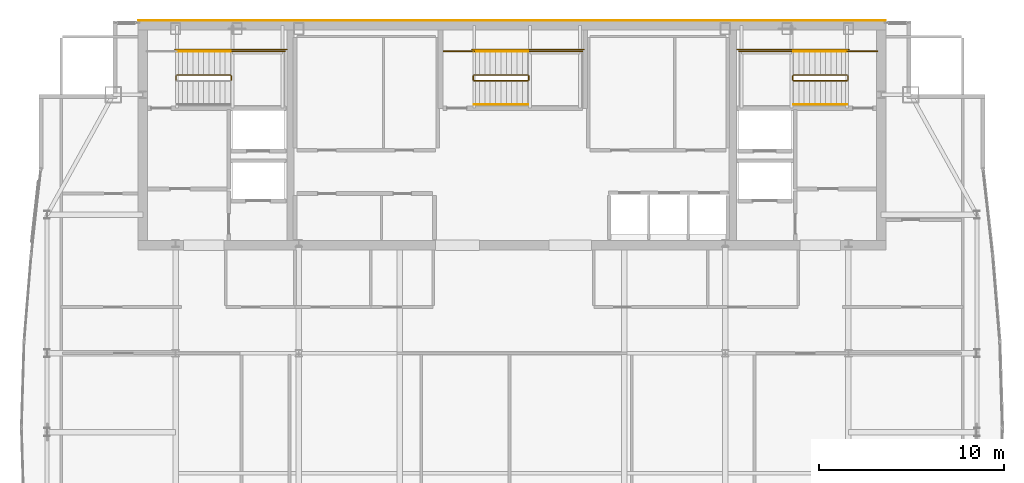
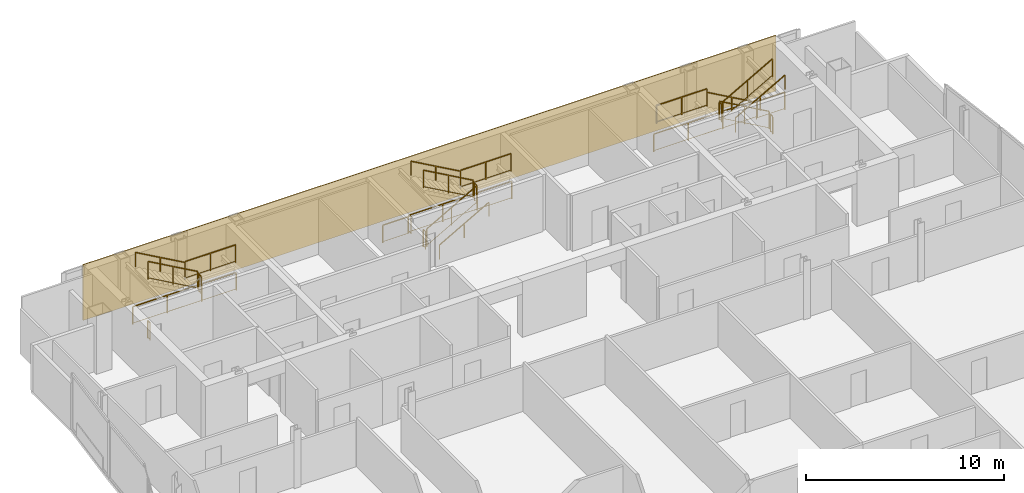
# One storey, part 25 of 25: 24 railings, 1 covering.
"""IFC4 building model written with IfcOpenShell, lengths in metres."""

from ifc_helpers import new_model, si_unit, direction, frame, origin, origin_2d, place, context, subcontext, project, spatial, polyline, rectangle, outline, extrude, material, layer, layer_set, type_object, element, save


model = new_model("IFC4")

# Units and contexts
model_context = context("Model", 3, precision=1e-05, world=origin(), true_north=direction((0.0, 1.0)))
body_context = subcontext(model_context, "Body", "Model", "MODEL_VIEW")
ifc_project = project(units=[si_unit("LENGTHUNIT", "METRE"), si_unit("AREAUNIT", "SQUARE_METRE"), si_unit("VOLUMEUNIT", "CUBIC_METRE"), si_unit("PLANEANGLEUNIT", "RADIAN"), si_unit("MASSUNIT", "GRAM", prefix="KILO")], contexts=[model_context])

# Site, building, storey
site_placement = place(None, origin())
site = spatial("IfcSite", under=ifc_project, at=site_placement, CompositionType="ELEMENT")
building_placement = place(site_placement, origin())
building = spatial("IfcBuilding", under=site, at=building_placement, Name="Khoronbel Lancet Exchange", CompositionType="ELEMENT")
storey_placement = place(building_placement, frame((0.0, 0.0, 298.60009765625)))
storey = spatial("IfcBuildingStorey", under=building, at=storey_placement, Name="L77", CompositionType="ELEMENT", Elevation=298.60009765625)

# Covering
ifc_material_1 = material(Name="Honed Egyptian Limestone & Bronze Rainscreen", Category="masonry")
ifc_layer = layer(ifc_material_1, 0.050048828125, Name="Honed Egyptian Limestone & Bronze Rainscreen")
ifc_layer_set = layer_set([ifc_layer], Name="Honed Egyptian Limestone & Bronze Rainscreen")
covering_type = type_object("IfcCoveringType", Name="COV-CLAD1", PredefinedType="CLADDING", material=ifc_layer_set)
covering_placement = place(storey_placement, origin())
element("IfcCovering", 1, at=covering_placement, inside=storey, type_object=covering_type, Name="Level L77 north rear-core stone and bronze rainscreen cladding", PredefinedType="CLADDING", context=body_context, shape_type="SweptSolid", body=[
    extrude(outline(polyline([(16.199951171875, 53.699951171875), (56.699951171875, 53.699951171875), (56.699951171875, 53.75), (16.199951171875, 53.75), (16.199951171875, 53.699951171875)])), origin(), (0.0, 0.0, 1.0), 3.43994140625),
])

# Railings
ifc_material_2 = material(Name="Painted Steel Balustrade", Category="steel")
railing_type_1 = type_object("IfcRailingType", Name="RL-STG110", PredefinedType="GUARDRAIL", material=ifc_material_2)
railing_1_placement = place(storey_placement, frame((21.25, 50.5, 1.7998046875)))
element("IfcRailing", 2, at=railing_1_placement, inside=storey, type_object=railing_type_1, Name="L77 ST1 stair guard 2", PredefinedType="GUARDRAIL", context=body_context, shape_type="SweptSolid", body=[
    extrude(rectangle(XDim=0.048095703125, YDim=0.048095703125, at=origin_2d()), frame((0.0, 0.0, 1.09619140625), z_axis=(0.0, 1.0, 0.0), x_axis=(-1.0, 0.0, 0.0)), (0.0, 0.0, 1.0), 0.219970703125),
    extrude(rectangle(XDim=0.02392578125, YDim=0.02392578125, at=origin_2d()), frame((0.0, 0.0, 0.080078125), z_axis=(0.0, 1.0, 0.0), x_axis=(-1.0, 0.0, 0.0)), (0.0, 0.0, 1.0), 0.219970703125),
    extrude(rectangle(XDim=0.0419921875, YDim=0.0419921875, at=origin_2d()), origin(), (0.0, 0.0, 1.0), 1.072021484375),
    extrude(rectangle(XDim=0.0419921875, YDim=0.0419921875, at=origin_2d()), frame((0.0, 0.219970703125, 0.0)), (0.0, 0.0, 1.0), 1.072021484375),
])
railing_2_placement = place(storey_placement, frame((21.199951171875, 52.050048828125, 1.7998046875)))
element("IfcRailing", 3, at=railing_2_placement, inside=storey, type_object=railing_type_1, Name="L77 ST1 stair guard 3", PredefinedType="GUARDRAIL", context=body_context, shape_type="SweptSolid", body=[
    extrude(rectangle(XDim=0.048095703125, YDim=0.048095703125, at=origin_2d()), frame((0.0, 0.0, 1.09619140625), z_axis=(1.0, 0.0, 0.0), x_axis=(0.0, 1.0, 0.0)), (0.0, 0.0, 1.0), 2.949951171875),
    extrude(rectangle(XDim=0.02392578125, YDim=0.02392578125, at=origin_2d()), frame((0.0, 0.0, 0.080078125), z_axis=(1.0, 0.0, 0.0), x_axis=(0.0, 1.0, 0.0)), (0.0, 0.0, 1.0), 2.949951171875),
    extrude(rectangle(XDim=0.0419921875, YDim=0.0419921875, at=origin_2d()), origin(), (0.0, 0.0, 1.0), 1.072021484375),
    extrude(rectangle(XDim=0.0419921875, YDim=0.0419921875, at=origin_2d()), frame((1.47509765625, 0.0, 0.0)), (0.0, 0.0, 1.0), 1.072021484375),
    extrude(rectangle(XDim=0.0419921875, YDim=0.0419921875, at=origin_2d()), frame((2.949951171875, 0.0, 0.0)), (0.0, 0.0, 1.0), 1.072021484375),
])
railing_3_placement = place(storey_placement, frame((21.199951171875, 50.77001953125, 1.963623046875)))
element("IfcRailing", 4, at=railing_3_placement, inside=storey, type_object=railing_type_1, Name="L77 ST1 stair guard 4", PredefinedType="GUARDRAIL", context=body_context, shape_type="SweptSolid", body=[
    extrude(rectangle(XDim=0.048095703125, YDim=0.048095703125, at=origin_2d()), frame((0.0, 0.0, 1.09619140625), z_axis=(-0.870928581787, 0.0, 0.491409610636), x_axis=(0.0, -1.0, 0.0)), (0.0, 0.0, 1.0), 3.32958984375),
    extrude(rectangle(XDim=0.02392578125, YDim=0.02392578125, at=origin_2d()), frame((0.0, 0.0, 0.080078125), z_axis=(-0.870928581787, 0.0, 0.491409610636), x_axis=(0.0, -1.0, 0.0)), (0.0, 0.0, 1.0), 3.32958984375),
    extrude(rectangle(XDim=0.0419921875, YDim=0.0419921875, at=origin_2d()), origin(), (0.0, 0.0, 1.0), 1.072021484375),
    extrude(rectangle(XDim=0.0419921875, YDim=0.0419921875, at=origin_2d()), frame((-1.449951171875, 0.0, 0.818115234375)), (0.0, 0.0, 1.0), 1.072021484375),
    extrude(rectangle(XDim=0.0419921875, YDim=0.0419921875, at=origin_2d()), frame((-2.89990234375, 0.0, 1.63623046875)), (0.0, 0.0, 1.0), 1.072021484375),
])
railing_4_placement = place(storey_placement, frame((18.25, 50.5, 0.0)))
element("IfcRailing", 5, at=railing_4_placement, inside=storey, type_object=railing_type_1, Name="L77 ST1 stair guard 5", PredefinedType="GUARDRAIL", context=body_context, shape_type="SweptSolid", body=[
    extrude(rectangle(XDim=0.048095703125, YDim=0.048095703125, at=origin_2d()), frame((0.0, 0.0, 1.09619140625), z_axis=(0.0, 1.0, 0.0), x_axis=(-1.0, 0.0, 0.0)), (0.0, 0.0, 1.0), 0.219970703125),
    extrude(rectangle(XDim=0.02392578125, YDim=0.02392578125, at=origin_2d()), frame((0.0, 0.0, 0.080078125), z_axis=(0.0, 1.0, 0.0), x_axis=(-1.0, 0.0, 0.0)), (0.0, 0.0, 1.0), 0.219970703125),
    extrude(rectangle(XDim=0.0419921875, YDim=0.0419921875, at=origin_2d()), origin(), (0.0, 0.0, 1.0), 1.072021484375),
    extrude(rectangle(XDim=0.0419921875, YDim=0.0419921875, at=origin_2d()), frame((0.0, 0.219970703125, 0.0)), (0.0, 0.0, 1.0), 1.072021484375),
])
railing_5_placement = place(storey_placement, frame((18.199951171875, 52.14990234375, 0.0)))
element("IfcRailing", 6, at=railing_5_placement, inside=storey, type_object=railing_type_1, Name="L77 ST1 stair guard 7", PredefinedType="GUARDRAIL", context=body_context, shape_type="SweptSolid", body=[
    extrude(rectangle(XDim=0.048095703125, YDim=0.048095703125, at=origin_2d()), frame((0.0, 0.0, 1.09619140625), z_axis=(1.0, 0.0, 0.0), x_axis=(0.0, 1.0, 0.0)), (0.0, 0.0, 1.0), 6.050048828125),
    extrude(rectangle(XDim=0.02392578125, YDim=0.02392578125, at=origin_2d()), frame((0.0, 0.0, 0.080078125), z_axis=(1.0, 0.0, 0.0), x_axis=(0.0, 1.0, 0.0)), (0.0, 0.0, 1.0), 6.050048828125),
    extrude(rectangle(XDim=0.0419921875, YDim=0.0419921875, at=origin_2d()), origin(), (0.0, 0.0, 1.0), 1.072021484375),
    extrude(rectangle(XDim=0.0419921875, YDim=0.0419921875, at=origin_2d()), frame((2.0166015625, 0.0, 0.0)), (0.0, 0.0, 1.0), 1.072021484375),
    extrude(rectangle(XDim=0.0419921875, YDim=0.0419921875, at=origin_2d()), frame((4.033447265625, 0.0, 0.0)), (0.0, 0.0, 1.0), 1.072021484375),
    extrude(rectangle(XDim=0.0419921875, YDim=0.0419921875, at=origin_2d()), frame((6.050048828125, 0.0, 0.0)), (0.0, 0.0, 1.0), 1.072021484375),
])
railing_6_placement = place(storey_placement, frame((54.60009765625, 50.77001953125, 0.16357421875)))
element("IfcRailing", 7, at=railing_6_placement, inside=storey, type_object=railing_type_1, Name="L77 ST2 stair guard 1", PredefinedType="GUARDRAIL", context=body_context, shape_type="SweptSolid", body=[
    extrude(rectangle(XDim=0.048095703125, YDim=0.048095703125, at=origin_2d()), frame((0.0, 0.0, 1.09619140625), z_axis=(-0.870946286338, 0.0, 0.49137823142), x_axis=(0.0, -1.0, 0.0)), (0.0, 0.0, 1.0), 3.329833984375),
    extrude(rectangle(XDim=0.02392578125, YDim=0.02392578125, at=origin_2d()), frame((0.0, 0.0, 0.080078125), z_axis=(-0.870946286338, 0.0, 0.49137823142), x_axis=(0.0, -1.0, 0.0)), (0.0, 0.0, 1.0), 3.329833984375),
    extrude(rectangle(XDim=0.0419921875, YDim=0.0419921875, at=origin_2d()), origin(), (0.0, 0.0, 1.0), 1.072021484375),
    extrude(rectangle(XDim=0.0419921875, YDim=0.0419921875, at=origin_2d()), frame((-1.4501953125, 0.0, 0.818115234375)), (0.0, 0.0, 1.0), 1.072021484375),
    extrude(rectangle(XDim=0.0419921875, YDim=0.0419921875, at=origin_2d()), frame((-2.900146484375, 0.0, 1.63623046875)), (0.0, 0.0, 1.0), 1.072021484375),
])
railing_7_placement = place(storey_placement, frame((51.64990234375, 50.719970703125, 1.7998046875)))
element("IfcRailing", 8, at=railing_7_placement, inside=storey, type_object=railing_type_1, Name="L77 ST2 stair guard 2", PredefinedType="GUARDRAIL", context=body_context, shape_type="SweptSolid", body=[
    extrude(rectangle(XDim=0.048095703125, YDim=0.048095703125, at=origin_2d()), frame((0.0, 0.0, 1.09619140625), z_axis=(0.0, -1.0, 0.0), x_axis=(1.0, 0.0, 0.0)), (0.0, 0.0, 1.0), 0.219970703125),
    extrude(rectangle(XDim=0.02392578125, YDim=0.02392578125, at=origin_2d()), frame((0.0, 0.0, 0.080078125), z_axis=(0.0, -1.0, 0.0), x_axis=(1.0, 0.0, 0.0)), (0.0, 0.0, 1.0), 0.219970703125),
    extrude(rectangle(XDim=0.0419921875, YDim=0.0419921875, at=origin_2d()), origin(), (0.0, 0.0, 1.0), 1.072021484375),
    extrude(rectangle(XDim=0.0419921875, YDim=0.0419921875, at=origin_2d()), frame((0.0, -0.219970703125, 0.0)), (0.0, 0.0, 1.0), 1.072021484375),
])
railing_8_placement = place(storey_placement, frame((51.699951171875, 52.050048828125, 1.7998046875)))
element("IfcRailing", 9, at=railing_8_placement, inside=storey, type_object=railing_type_1, Name="L77 ST2 stair guard 3", PredefinedType="GUARDRAIL", context=body_context, shape_type="SweptSolid", body=[
    extrude(rectangle(XDim=0.048095703125, YDim=0.048095703125, at=origin_2d()), frame((0.0, 0.0, 1.09619140625), z_axis=(-1.0, 0.0, 0.0), x_axis=(0.0, -1.0, 0.0)), (0.0, 0.0, 1.0), 2.949951171875),
    extrude(rectangle(XDim=0.02392578125, YDim=0.02392578125, at=origin_2d()), frame((0.0, 0.0, 0.080078125), z_axis=(-1.0, 0.0, 0.0), x_axis=(0.0, -1.0, 0.0)), (0.0, 0.0, 1.0), 2.949951171875),
    extrude(rectangle(XDim=0.0419921875, YDim=0.0419921875, at=origin_2d()), origin(), (0.0, 0.0, 1.0), 1.072021484375),
    extrude(rectangle(XDim=0.0419921875, YDim=0.0419921875, at=origin_2d()), frame((-1.47509765625, 0.0, 0.0)), (0.0, 0.0, 1.0), 1.072021484375),
    extrude(rectangle(XDim=0.0419921875, YDim=0.0419921875, at=origin_2d()), frame((-2.949951171875, 0.0, 0.0)), (0.0, 0.0, 1.0), 1.072021484375),
])
railing_9_placement = place(storey_placement, frame((51.699951171875, 50.449951171875, 1.963623046875)))
element("IfcRailing", 10, at=railing_9_placement, inside=storey, type_object=railing_type_1, Name="L77 ST2 stair guard 4", PredefinedType="GUARDRAIL", context=body_context, shape_type="SweptSolid", body=[
    extrude(rectangle(XDim=0.048095703125, YDim=0.048095703125, at=origin_2d()), frame((0.0, 0.0, 1.09619140625), z_axis=(0.870946286338, 0.0, 0.49137823142), x_axis=(0.0, 1.0, 0.0)), (0.0, 0.0, 1.0), 3.329833984375),
    extrude(rectangle(XDim=0.02392578125, YDim=0.02392578125, at=origin_2d()), frame((0.0, 0.0, 0.080078125), z_axis=(0.870946286338, 0.0, 0.49137823142), x_axis=(0.0, 1.0, 0.0)), (0.0, 0.0, 1.0), 3.329833984375),
    extrude(rectangle(XDim=0.0419921875, YDim=0.0419921875, at=origin_2d()), origin(), (0.0, 0.0, 1.0), 1.072021484375),
    extrude(rectangle(XDim=0.0419921875, YDim=0.0419921875, at=origin_2d()), frame((1.4501953125, 0.0, 0.818115234375)), (0.0, 0.0, 1.0), 1.072021484375),
    extrude(rectangle(XDim=0.0419921875, YDim=0.0419921875, at=origin_2d()), frame((2.900146484375, 0.0, 1.63623046875)), (0.0, 0.0, 1.0), 1.072021484375),
])
railing_10_placement = place(storey_placement, frame((54.64990234375, 50.719970703125, 0.0)))
element("IfcRailing", 11, at=railing_10_placement, inside=storey, type_object=railing_type_1, Name="L77 ST2 stair guard 5", PredefinedType="GUARDRAIL", context=body_context, shape_type="SweptSolid", body=[
    extrude(rectangle(XDim=0.048095703125, YDim=0.048095703125, at=origin_2d()), frame((0.0, 0.0, 1.09619140625), z_axis=(0.0, -1.0, 0.0), x_axis=(1.0, 0.0, 0.0)), (0.0, 0.0, 1.0), 0.219970703125),
    extrude(rectangle(XDim=0.02392578125, YDim=0.02392578125, at=origin_2d()), frame((0.0, 0.0, 0.080078125), z_axis=(0.0, -1.0, 0.0), x_axis=(1.0, 0.0, 0.0)), (0.0, 0.0, 1.0), 0.219970703125),
    extrude(rectangle(XDim=0.0419921875, YDim=0.0419921875, at=origin_2d()), origin(), (0.0, 0.0, 1.0), 1.072021484375),
    extrude(rectangle(XDim=0.0419921875, YDim=0.0419921875, at=origin_2d()), frame((0.0, -0.219970703125, 0.0)), (0.0, 0.0, 1.0), 1.072021484375),
])
railing_11_placement = place(storey_placement, frame((56.25, 52.050048828125, 0.0)))
element("IfcRailing", 12, at=railing_11_placement, inside=storey, type_object=railing_type_1, Name="L77 ST2 stair guard 6", PredefinedType="GUARDRAIL", context=body_context, shape_type="SweptSolid", body=[
    extrude(rectangle(XDim=0.048095703125, YDim=0.048095703125, at=origin_2d()), frame((0.0, 0.0, 1.09619140625), z_axis=(-1.0, 0.0, 0.0), x_axis=(0.0, -1.0, 0.0)), (0.0, 0.0, 1.0), 1.64990234375),
    extrude(rectangle(XDim=0.02392578125, YDim=0.02392578125, at=origin_2d()), frame((0.0, 0.0, 0.080078125), z_axis=(-1.0, 0.0, 0.0), x_axis=(0.0, -1.0, 0.0)), (0.0, 0.0, 1.0), 1.64990234375),
    extrude(rectangle(XDim=0.0419921875, YDim=0.0419921875, at=origin_2d()), origin(), (0.0, 0.0, 1.0), 1.072021484375),
    extrude(rectangle(XDim=0.0419921875, YDim=0.0419921875, at=origin_2d()), frame((-1.64990234375, 0.0, 0.0)), (0.0, 0.0, 1.0), 1.072021484375),
])
railing_12_placement = place(storey_placement, frame((54.699951171875, 52.14990234375, 0.0)))
element("IfcRailing", 13, at=railing_12_placement, inside=storey, type_object=railing_type_1, Name="L77 ST2 stair guard 7", PredefinedType="GUARDRAIL", context=body_context, shape_type="SweptSolid", body=[
    extrude(rectangle(XDim=0.048095703125, YDim=0.048095703125, at=origin_2d()), frame((0.0, 0.0, 1.09619140625), z_axis=(-1.0, 0.0, 0.0), x_axis=(0.0, -1.0, 0.0)), (0.0, 0.0, 1.0), 6.050048828125),
    extrude(rectangle(XDim=0.02392578125, YDim=0.02392578125, at=origin_2d()), frame((0.0, 0.0, 0.080078125), z_axis=(-1.0, 0.0, 0.0), x_axis=(0.0, -1.0, 0.0)), (0.0, 0.0, 1.0), 6.050048828125),
    extrude(rectangle(XDim=0.0419921875, YDim=0.0419921875, at=origin_2d()), origin(), (0.0, 0.0, 1.0), 1.072021484375),
    extrude(rectangle(XDim=0.0419921875, YDim=0.0419921875, at=origin_2d()), frame((-2.0166015625, 0.0, 0.0)), (0.0, 0.0, 1.0), 1.072021484375),
    extrude(rectangle(XDim=0.0419921875, YDim=0.0419921875, at=origin_2d()), frame((-4.033447265625, 0.0, 0.0)), (0.0, 0.0, 1.0), 1.072021484375),
    extrude(rectangle(XDim=0.0419921875, YDim=0.0419921875, at=origin_2d()), frame((-6.050048828125, 0.0, 0.0)), (0.0, 0.0, 1.0), 1.072021484375),
])
railing_13_placement = place(storey_placement, frame((34.39990234375, 50.449951171875, 0.16357421875)))
element("IfcRailing", 14, at=railing_13_placement, inside=storey, type_object=railing_type_1, Name="L77 ST3 stair guard 1", PredefinedType="GUARDRAIL", context=body_context, shape_type="SweptSolid", body=[
    extrude(rectangle(XDim=0.048095703125, YDim=0.048095703125, at=origin_2d()), frame((0.0, 0.0, 1.09619140625), z_axis=(0.870946286338, 0.0, 0.49137823142), x_axis=(0.0, 1.0, 0.0)), (0.0, 0.0, 1.0), 3.329833984375),
    extrude(rectangle(XDim=0.02392578125, YDim=0.02392578125, at=origin_2d()), frame((0.0, 0.0, 0.080078125), z_axis=(0.870946286338, 0.0, 0.49137823142), x_axis=(0.0, 1.0, 0.0)), (0.0, 0.0, 1.0), 3.329833984375),
    extrude(rectangle(XDim=0.0419921875, YDim=0.0419921875, at=origin_2d()), origin(), (0.0, 0.0, 1.0), 1.072021484375),
    extrude(rectangle(XDim=0.0419921875, YDim=0.0419921875, at=origin_2d()), frame((1.4501953125, 0.0, 0.818115234375)), (0.0, 0.0, 1.0), 1.072021484375),
    extrude(rectangle(XDim=0.0419921875, YDim=0.0419921875, at=origin_2d()), frame((2.900146484375, 0.0, 1.63623046875)), (0.0, 0.0, 1.0), 1.072021484375),
])
railing_14_placement = place(storey_placement, frame((37.35009765625, 50.5, 1.7998046875)))
element("IfcRailing", 15, at=railing_14_placement, inside=storey, type_object=railing_type_1, Name="L77 ST3 stair guard 2", PredefinedType="GUARDRAIL", context=body_context, shape_type="SweptSolid", body=[
    extrude(rectangle(XDim=0.048095703125, YDim=0.048095703125, at=origin_2d()), frame((0.0, 0.0, 1.09619140625), z_axis=(0.0, 1.0, 0.0), x_axis=(-1.0, 0.0, 0.0)), (0.0, 0.0, 1.0), 0.219970703125),
    extrude(rectangle(XDim=0.02392578125, YDim=0.02392578125, at=origin_2d()), frame((0.0, 0.0, 0.080078125), z_axis=(0.0, 1.0, 0.0), x_axis=(-1.0, 0.0, 0.0)), (0.0, 0.0, 1.0), 0.219970703125),
    extrude(rectangle(XDim=0.0419921875, YDim=0.0419921875, at=origin_2d()), origin(), (0.0, 0.0, 1.0), 1.072021484375),
    extrude(rectangle(XDim=0.0419921875, YDim=0.0419921875, at=origin_2d()), frame((0.0, 0.219970703125, 0.0)), (0.0, 0.0, 1.0), 1.072021484375),
])
railing_15_placement = place(storey_placement, frame((37.300048828125, 52.050048828125, 1.7998046875)))
element("IfcRailing", 16, at=railing_15_placement, inside=storey, type_object=railing_type_1, Name="L77 ST3 stair guard 3", PredefinedType="GUARDRAIL", context=body_context, shape_type="SweptSolid", body=[
    extrude(rectangle(XDim=0.048095703125, YDim=0.048095703125, at=origin_2d()), frame((0.0, 0.0, 1.09619140625), z_axis=(1.0, 0.0, 0.0), x_axis=(0.0, 1.0, 0.0)), (0.0, 0.0, 1.0), 2.949951171875),
    extrude(rectangle(XDim=0.02392578125, YDim=0.02392578125, at=origin_2d()), frame((0.0, 0.0, 0.080078125), z_axis=(1.0, 0.0, 0.0), x_axis=(0.0, 1.0, 0.0)), (0.0, 0.0, 1.0), 2.949951171875),
    extrude(rectangle(XDim=0.0419921875, YDim=0.0419921875, at=origin_2d()), origin(), (0.0, 0.0, 1.0), 1.072021484375),
    extrude(rectangle(XDim=0.0419921875, YDim=0.0419921875, at=origin_2d()), frame((1.47509765625, 0.0, 0.0)), (0.0, 0.0, 1.0), 1.072021484375),
    extrude(rectangle(XDim=0.0419921875, YDim=0.0419921875, at=origin_2d()), frame((2.949951171875, 0.0, 0.0)), (0.0, 0.0, 1.0), 1.072021484375),
])
railing_16_placement = place(storey_placement, frame((37.300048828125, 50.77001953125, 1.963623046875)))
element("IfcRailing", 17, at=railing_16_placement, inside=storey, type_object=railing_type_1, Name="L77 ST3 stair guard 4", PredefinedType="GUARDRAIL", context=body_context, shape_type="SweptSolid", body=[
    extrude(rectangle(XDim=0.048095703125, YDim=0.048095703125, at=origin_2d()), frame((0.0, 0.0, 1.09619140625), z_axis=(-0.870946286338, 0.0, 0.49137823142), x_axis=(0.0, -1.0, 0.0)), (0.0, 0.0, 1.0), 3.329833984375),
    extrude(rectangle(XDim=0.02392578125, YDim=0.02392578125, at=origin_2d()), frame((0.0, 0.0, 0.080078125), z_axis=(-0.870946286338, 0.0, 0.49137823142), x_axis=(0.0, -1.0, 0.0)), (0.0, 0.0, 1.0), 3.329833984375),
    extrude(rectangle(XDim=0.0419921875, YDim=0.0419921875, at=origin_2d()), origin(), (0.0, 0.0, 1.0), 1.072021484375),
    extrude(rectangle(XDim=0.0419921875, YDim=0.0419921875, at=origin_2d()), frame((-1.4501953125, 0.0, 0.818115234375)), (0.0, 0.0, 1.0), 1.072021484375),
    extrude(rectangle(XDim=0.0419921875, YDim=0.0419921875, at=origin_2d()), frame((-2.900146484375, 0.0, 1.63623046875)), (0.0, 0.0, 1.0), 1.072021484375),
])
railing_17_placement = place(storey_placement, frame((34.35009765625, 50.5, 0.0)))
element("IfcRailing", 18, at=railing_17_placement, inside=storey, type_object=railing_type_1, Name="L77 ST3 stair guard 5", PredefinedType="GUARDRAIL", context=body_context, shape_type="SweptSolid", body=[
    extrude(rectangle(XDim=0.048095703125, YDim=0.048095703125, at=origin_2d()), frame((0.0, 0.0, 1.09619140625), z_axis=(0.0, 1.0, 0.0), x_axis=(-1.0, 0.0, 0.0)), (0.0, 0.0, 1.0), 0.219970703125),
    extrude(rectangle(XDim=0.02392578125, YDim=0.02392578125, at=origin_2d()), frame((0.0, 0.0, 0.080078125), z_axis=(0.0, 1.0, 0.0), x_axis=(-1.0, 0.0, 0.0)), (0.0, 0.0, 1.0), 0.219970703125),
    extrude(rectangle(XDim=0.0419921875, YDim=0.0419921875, at=origin_2d()), origin(), (0.0, 0.0, 1.0), 1.072021484375),
    extrude(rectangle(XDim=0.0419921875, YDim=0.0419921875, at=origin_2d()), frame((0.0, 0.219970703125, 0.0)), (0.0, 0.0, 1.0), 1.072021484375),
])
railing_18_placement = place(storey_placement, frame((32.75, 52.050048828125, 0.0)))
element("IfcRailing", 19, at=railing_18_placement, inside=storey, type_object=railing_type_1, Name="L77 ST3 stair guard 6", PredefinedType="GUARDRAIL", context=body_context, shape_type="SweptSolid", body=[
    extrude(rectangle(XDim=0.048095703125, YDim=0.048095703125, at=origin_2d()), frame((0.0, 0.0, 1.09619140625), z_axis=(1.0, 0.0, 0.0), x_axis=(0.0, 1.0, 0.0)), (0.0, 0.0, 1.0), 1.64990234375),
    extrude(rectangle(XDim=0.02392578125, YDim=0.02392578125, at=origin_2d()), frame((0.0, 0.0, 0.080078125), z_axis=(1.0, 0.0, 0.0), x_axis=(0.0, 1.0, 0.0)), (0.0, 0.0, 1.0), 1.64990234375),
    extrude(rectangle(XDim=0.0419921875, YDim=0.0419921875, at=origin_2d()), origin(), (0.0, 0.0, 1.0), 1.072021484375),
    extrude(rectangle(XDim=0.0419921875, YDim=0.0419921875, at=origin_2d()), frame((1.64990234375, 0.0, 0.0)), (0.0, 0.0, 1.0), 1.072021484375),
])
railing_19_placement = place(storey_placement, frame((34.300048828125, 52.14990234375, 0.0)))
element("IfcRailing", 20, at=railing_19_placement, inside=storey, type_object=railing_type_1, Name="L77 ST3 stair guard 7", PredefinedType="GUARDRAIL", context=body_context, shape_type="SweptSolid", body=[
    extrude(rectangle(XDim=0.048095703125, YDim=0.048095703125, at=origin_2d()), frame((0.0, 0.0, 1.09619140625), z_axis=(1.0, 0.0, 0.0), x_axis=(0.0, 1.0, 0.0)), (0.0, 0.0, 1.0), 6.050048828125),
    extrude(rectangle(XDim=0.02392578125, YDim=0.02392578125, at=origin_2d()), frame((0.0, 0.0, 0.080078125), z_axis=(1.0, 0.0, 0.0), x_axis=(0.0, 1.0, 0.0)), (0.0, 0.0, 1.0), 6.050048828125),
    extrude(rectangle(XDim=0.0419921875, YDim=0.0419921875, at=origin_2d()), origin(), (0.0, 0.0, 1.0), 1.072021484375),
    extrude(rectangle(XDim=0.0419921875, YDim=0.0419921875, at=origin_2d()), frame((2.0166015625, 0.0, 0.0)), (0.0, 0.0, 1.0), 1.072021484375),
    extrude(rectangle(XDim=0.0419921875, YDim=0.0419921875, at=origin_2d()), frame((4.033447265625, 0.0, 0.0)), (0.0, 0.0, 1.0), 1.072021484375),
    extrude(rectangle(XDim=0.0419921875, YDim=0.0419921875, at=origin_2d()), frame((6.050048828125, 0.0, 0.0)), (0.0, 0.0, 1.0), 1.072021484375),
])
ifc_material_3 = material(Name="Brushed Stainless Steel 316", Category="steel")
railing_type_2 = type_object("IfcRailingType", Name="RL-STH92", PredefinedType="HANDRAIL", material=ifc_material_3)
railing_20_placement = place(storey_placement, frame((21.199951171875, 52.050048828125, 1.963623046875)))
element("IfcRailing", 21, at=railing_20_placement, inside=storey, type_object=railing_type_2, Name="L77 ST1 stair handrail 2", PredefinedType="HANDRAIL", context=body_context, shape_type="SweptSolid", body=[
    extrude(rectangle(XDim=0.048095703125, YDim=0.048095703125, at=origin_2d()), frame((0.0, 0.0, 0.8759765625), z_axis=(-0.870928581787, 0.0, 0.491409610636), x_axis=(0.0, -1.0, 0.0)), (0.0, 0.0, 1.0), 3.32958984375),
    extrude(rectangle(XDim=0.0419921875, YDim=0.0419921875, at=origin_2d()), origin(), (0.0, 0.0, 1.0), 0.851806640625),
    extrude(rectangle(XDim=0.0419921875, YDim=0.0419921875, at=origin_2d()), frame((-1.449951171875, 0.0, 0.818115234375)), (0.0, 0.0, 1.0), 0.851806640625),
    extrude(rectangle(XDim=0.0419921875, YDim=0.0419921875, at=origin_2d()), frame((-2.89990234375, 0.0, 1.63623046875)), (0.0, 0.0, 1.0), 0.851806640625),
])
railing_21_placement = place(storey_placement, frame((54.60009765625, 52.050048828125, 0.16357421875)))
element("IfcRailing", 22, at=railing_21_placement, inside=storey, type_object=railing_type_2, Name="L77 ST2 stair handrail 1", PredefinedType="HANDRAIL", context=body_context, shape_type="SweptSolid", body=[
    extrude(rectangle(XDim=0.048095703125, YDim=0.048095703125, at=origin_2d()), frame((0.0, 0.0, 0.8759765625), z_axis=(-0.870946286338, 0.0, 0.49137823142), x_axis=(0.0, -1.0, 0.0)), (0.0, 0.0, 1.0), 3.329833984375),
    extrude(rectangle(XDim=0.0419921875, YDim=0.0419921875, at=origin_2d()), origin(), (0.0, 0.0, 1.0), 0.851806640625),
    extrude(rectangle(XDim=0.0419921875, YDim=0.0419921875, at=origin_2d()), frame((-1.4501953125, 0.0, 0.818115234375)), (0.0, 0.0, 1.0), 0.851806640625),
    extrude(rectangle(XDim=0.0419921875, YDim=0.0419921875, at=origin_2d()), frame((-2.900146484375, 0.0, 1.63623046875)), (0.0, 0.0, 1.0), 0.851806640625),
])
for number, where, name in (
    (23, (51.699951171875, 49.169921875, 1.963623046875), "L77 ST2 stair handrail 2"),
    (24, (34.39990234375, 49.169921875, 0.16357421875), "L77 ST3 stair handrail 1"),
):
    element("IfcRailing", number, at=place(storey_placement, frame(where)), inside=storey, type_object=railing_type_2, Name=name, PredefinedType="HANDRAIL", context=body_context, shape_type="SweptSolid", body=[
        extrude(rectangle(XDim=0.048095703125, YDim=0.048095703125, at=origin_2d()), frame((0.0, 0.0, 0.8759765625), z_axis=(0.870946286338, 0.0, 0.49137823142), x_axis=(0.0, 1.0, 0.0)), (0.0, 0.0, 1.0), 3.329833984375),
        extrude(rectangle(XDim=0.0419921875, YDim=0.0419921875, at=origin_2d()), origin(), (0.0, 0.0, 1.0), 0.851806640625),
        extrude(rectangle(XDim=0.0419921875, YDim=0.0419921875, at=origin_2d()), frame((1.4501953125, 0.0, 0.818115234375)), (0.0, 0.0, 1.0), 0.851806640625),
        extrude(rectangle(XDim=0.0419921875, YDim=0.0419921875, at=origin_2d()), frame((2.900146484375, 0.0, 1.63623046875)), (0.0, 0.0, 1.0), 0.851806640625),
    ])
railing_22_placement = place(storey_placement, frame((37.300048828125, 52.050048828125, 1.963623046875)))
element("IfcRailing", 25, at=railing_22_placement, inside=storey, type_object=railing_type_2, Name="L77 ST3 stair handrail 2", PredefinedType="HANDRAIL", context=body_context, shape_type="SweptSolid", body=[
    extrude(rectangle(XDim=0.048095703125, YDim=0.048095703125, at=origin_2d()), frame((0.0, 0.0, 0.8759765625), z_axis=(-0.870946286338, 0.0, 0.49137823142), x_axis=(0.0, -1.0, 0.0)), (0.0, 0.0, 1.0), 3.329833984375),
    extrude(rectangle(XDim=0.0419921875, YDim=0.0419921875, at=origin_2d()), origin(), (0.0, 0.0, 1.0), 0.851806640625),
    extrude(rectangle(XDim=0.0419921875, YDim=0.0419921875, at=origin_2d()), frame((-1.4501953125, 0.0, 0.818115234375)), (0.0, 0.0, 1.0), 0.851806640625),
    extrude(rectangle(XDim=0.0419921875, YDim=0.0419921875, at=origin_2d()), frame((-2.900146484375, 0.0, 1.63623046875)), (0.0, 0.0, 1.0), 0.851806640625),
])

save(model, "model.ifc")
